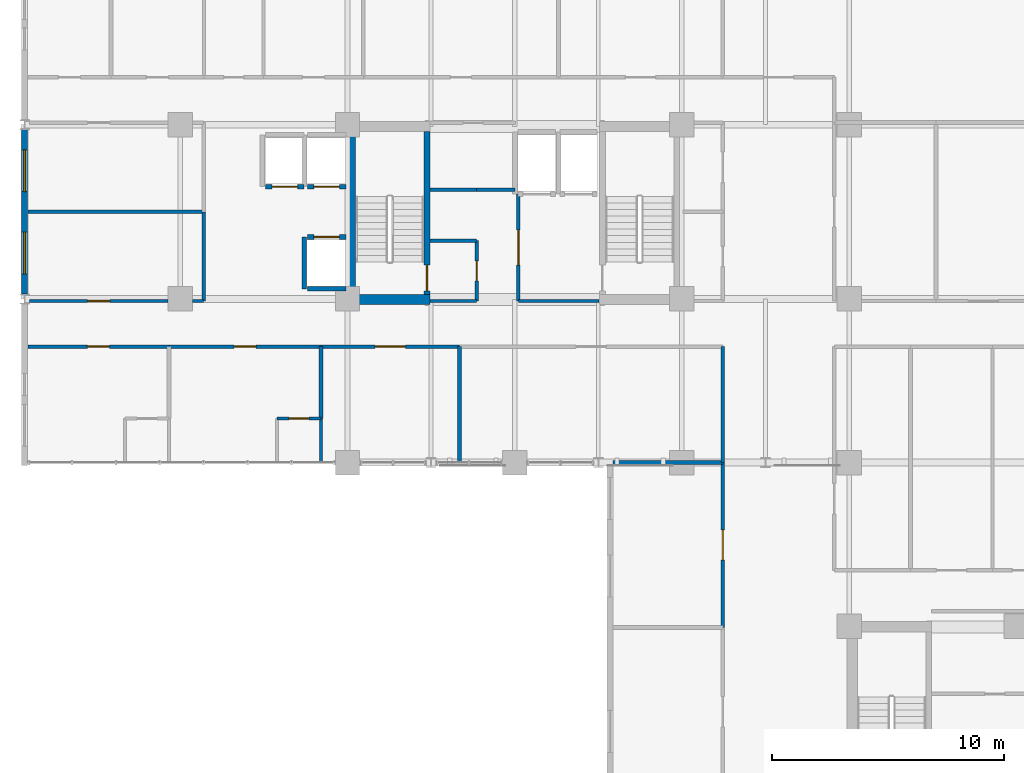
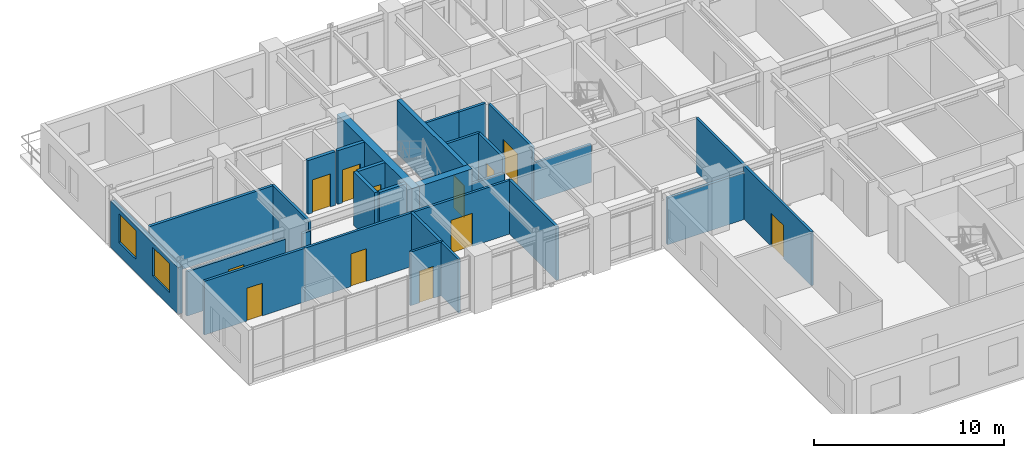
# One storey, part 9 of 17: 30 walls, 12 doors, 2 windows, 14 openings.
"""IFC4 building model written with IfcOpenShell, lengths in metres."""

from ifc_helpers import new_model, si_unit, direction, frame, frame_2d, origin, place, context, subcontext, project, spatial, rectangle, extrude, material, layer, layer_set, type_object, element, fill, save


model = new_model("IFC4")

# Units and contexts
model_context = context("Model", 3, precision=1e-05, world=origin(), true_north=direction((0.0, 1.0)))
body_context = subcontext(model_context, "Body", "Model", "MODEL_VIEW")
ifc_project = project(units=[si_unit("LENGTHUNIT", "METRE"), si_unit("AREAUNIT", "SQUARE_METRE"), si_unit("VOLUMEUNIT", "CUBIC_METRE"), si_unit("PLANEANGLEUNIT", "RADIAN"), si_unit("MASSUNIT", "GRAM", prefix="KILO")], contexts=[model_context])

# Site, building, storey
site_placement = place(None, origin())
site = spatial("IfcSite", under=ifc_project, at=site_placement, CompositionType="ELEMENT")
building_placement = place(site_placement, origin())
building = spatial("IfcBuilding", under=site, at=building_placement, Name="Kaliganga Portal Commons", CompositionType="ELEMENT")
storey_placement = place(building_placement, frame((0.0, 0.0, 143.89990234375)))
storey = spatial("IfcBuildingStorey", under=building, at=storey_placement, Name="L36", CompositionType="ELEMENT", Elevation=143.89990234375)

# Walls
ifc_material_1 = material(Name="Concrete C60/75", Category="concrete")
ifc_layer_1 = layer(ifc_material_1, 0.449951171875)
ifc_layer_set_1 = layer_set([ifc_layer_1], Name="Concrete C60/75")
wall_type_1 = type_object("IfcWallType", Name="WL-CORE-450", PredefinedType="SHEAR", material=ifc_layer_set_1)
wall_1_placement = place(storey_placement, frame((14.52490234375, 28.39990234375, 0.0), z_axis=(0.0, 0.0, 1.0), x_axis=(0.0, 1.0, 0.0)))
element("IfcWall", 1, at=wall_1_placement, inside=storey, type_object=wall_type_1, Name="Core A West Shear Wall L36", PredefinedType="SHEAR", context=body_context, shape_type="SweptSolid", body=[
    extrude(rectangle(XDim=7.900146484375, YDim=0.449951171875, at=frame_2d((3.9501953125, 0.0))), origin(), (0.0, 0.0, 1.0), 3.460205078125),
])
wall_2_placement = place(storey_placement, frame((14.75, 28.625, 0.0), z_axis=(0.0, 0.0, 1.0), x_axis=(1.0, 0.0, 0.0)))
element("IfcWall", 2, at=wall_2_placement, inside=storey, type_object=wall_type_1, Name="Core A S-West Shear Wall L36", PredefinedType="SHEAR", context=body_context, shape_type="SweptSolid", body=[
    extrude(rectangle(XDim=3.199951171875, YDim=0.449951171875, at=frame_2d((1.60009765625, 0.0))), origin(), (0.0, 0.0, 1.0), 3.460205078125),
])

# Wall, openings, windows
ifc_material_2 = material(Name="Insulated Aluminium-Clad Spandrel Assembly", Category="aluminium")
ifc_layer_2 = layer(ifc_material_2, 0.260009765625)
ifc_layer_set_2 = layer_set([ifc_layer_2], Name="Insulated Aluminium-Clad Spandrel Assembly")
wall_type_2 = type_object("IfcWallType", Name="WL-EXT-SPAND-260", PredefinedType="STANDARD", material=ifc_layer_set_2)
wall_3_placement = place(storey_placement, frame((0.5, 28.85791015625, 0.0), z_axis=(0.0, 0.0, 1.0), x_axis=(0.0, 1.0, 0.0)))
wall_3 = element("IfcWall", 3, at=wall_3_placement, inside=storey, type_object=wall_type_2, Name="Exterior Envelope Wall L36 P1-E03-S2", PredefinedType="STANDARD", context=body_context, shape_type="SweptSolid", body=[
    extrude(rectangle(XDim=7.083984375, YDim=0.260009765625, at=frame_2d((3.5419921875, 0.0))), origin(), (0.0, 0.0, 1.0), 2.989990234375),
])
opening_1_placement = place(wall_3_placement, frame((0.87109375, 0.0, 0.85009765625)))
opening_1 = element("IfcOpeningElement", 4, at=opening_1_placement, cuts=wall_3, Name="Opening W-01", PredefinedType="OPENING", context=body_context, shape_type="SweptSolid", body=[
    extrude(rectangle(XDim=1.800048828125, YDim=1.85009765625, at=frame_2d((0.89990234375, 0.925048828125))), frame((0.0, 0.14013671875, 0.0), z_axis=(0.0, -1.0, 0.0), x_axis=(1.0, 0.0, 0.0)), (0.0, 0.0, 1.0), 0.280029296875),
])
opening_2_placement = place(wall_3_placement, frame((4.4130859375, 0.0, 0.85009765625)))
opening_2 = element("IfcOpeningElement", 5, at=opening_2_placement, cuts=wall_3, Name="Opening W-01", PredefinedType="OPENING", context=body_context, shape_type="SweptSolid", body=[
    extrude(rectangle(XDim=1.800048828125, YDim=1.85009765625, at=frame_2d((0.89990234375, 0.925048828125))), frame((0.0, 0.14013671875, 0.0), z_axis=(0.0, -1.0, 0.0), x_axis=(1.0, 0.0, 0.0)), (0.0, 0.0, 1.0), 0.280029296875),
])
ifc_material_3 = material(Name="Thermally Broken Aluminium and Low-E Double Glazing", Category="aluminium")
window_type = type_object("IfcWindowType", Name="WIN-STD-1800", PartitioningType="DOUBLE_PANEL_VERTICAL", PredefinedType="WINDOW", material=ifc_material_3)
window_1_placement = place(opening_1_placement, origin())
window_1 = element("IfcWindow", 6, at=window_1_placement, inside=storey, type_object=window_type, Name="Facade Window L36-P1E03S2-00", OverallHeight=1.85009765625, OverallWidth=1.800048828125, PartitioningType="SINGLE_PANEL", PredefinedType="WINDOW", context=body_context, shape_type="SweptSolid", body=[
    extrude(rectangle(XDim=1.800048828125, YDim=1.85009765625, at=frame_2d((0.89990234375, 0.925048828125))), frame((0.0, 0.030029296875, 0.0), z_axis=(0.0, -1.0, 0.0), x_axis=(1.0, 0.0, 0.0)), (0.0, 0.0, 1.0), 0.06005859375),
])
fill(opening_1, window_1)
window_2_placement = place(opening_2_placement, origin())
window_2 = element("IfcWindow", 7, at=window_2_placement, inside=storey, type_object=window_type, Name="Facade Window L36-P1E03S2-01", OverallHeight=1.85009765625, OverallWidth=1.800048828125, PartitioningType="SINGLE_PANEL", PredefinedType="WINDOW", context=body_context, shape_type="SweptSolid", body=[
    extrude(rectangle(XDim=1.800048828125, YDim=1.85009765625, at=frame_2d((0.89990234375, 0.925048828125))), frame((0.0, 0.030029296875, 0.0), z_axis=(0.0, -1.0, 0.0), x_axis=(1.0, 0.0, 0.0)), (0.0, 0.0, 1.0), 0.06005859375),
])
fill(opening_2, window_2)

# Wall, opening, door
ifc_material_4 = material(Name="Fire-Rated Gypsum Board on Steel Stud", Category="steel")
ifc_layer_3 = layer(ifc_material_4, 0.14990234375)
ifc_layer_set_3 = layer_set([ifc_layer_3], Name="Fire-Rated Gypsum Board on Steel Stud")
wall_type_3 = type_object("IfcWallType", Name="WL-PART-CORR-150", PredefinedType="PARTITIONING", material=ifc_layer_set_3)
wall_4_placement = place(storey_placement, frame((0.701904296875, 28.56005859375, 0.0), z_axis=(0.0, 0.0, 1.0), x_axis=(1.0, 0.0, 0.0)))
wall_4 = element("IfcWall", 8, at=wall_4_placement, inside=storey, type_object=wall_type_3, Name="Interior Partition L36-012", PredefinedType="PARTITIONING", context=body_context, shape_type="SweptSolid", body=[
    extrude(rectangle(XDim=5.97314453125, YDim=0.14990234375, at=frame_2d((2.986572265625, 0.0))), origin(), (0.0, 0.0, 1.0), 2.840087890625),
])
opening_3_placement = place(wall_4_placement, frame((2.511474609375, 0.0, 0.0)))
opening_3 = element("IfcOpeningElement", 9, at=opening_3_placement, cuts=wall_4, Name="Opening UD-01", PredefinedType="OPENING", context=body_context, shape_type="SweptSolid", body=[
    extrude(rectangle(XDim=0.949951171875, YDim=2.10009765625, at=frame_2d((0.47509765625, 1.050048828125))), frame((0.0, 0.0849609375, 0.0), z_axis=(0.0, -1.0, 0.0), x_axis=(1.0, 0.0, 0.0)), (0.0, 0.0, 1.0), 0.169921875),
])
ifc_material_5 = material(Name="Solid-Core Timber Acoustic Fire Door", Category="wood")
door_type_1 = type_object("IfcDoorType", Name="DR-UNIT-950", OperationType="NOTDEFINED", PredefinedType="DOOR", material=ifc_material_5)
door_1_placement = place(opening_3_placement, origin())
door_1 = element("IfcDoor", 10, at=door_1_placement, inside=storey, type_object=door_type_1, Name="Interior Door L36-AW01", OperationType="SINGLE_SWING_RIGHT", OverallHeight=2.10009765625, OverallWidth=0.949951171875, PredefinedType="DOOR", context=body_context, shape_type="SweptSolid", body=[
    extrude(rectangle(XDim=0.949951171875, YDim=2.10009765625, at=frame_2d((0.47509765625, 1.050048828125))), frame((0.0, 0.02490234375, 0.0), z_axis=(0.0, -1.0, 0.0), x_axis=(1.0, 0.0, 0.0)), (0.0, 0.0, 1.0), 0.050048828125),
])
fill(opening_3, door_1)

# Wall
wall_5_placement = place(storey_placement, frame((7.72509765625, 28.56005859375, 0.0), z_axis=(0.0, 0.0, 1.0), x_axis=(1.0, 0.0, 0.0)))
element("IfcWall", 11, at=wall_5_placement, inside=storey, type_object=wall_type_3, Name="Interior Partition L36-013", PredefinedType="PARTITIONING", context=body_context, shape_type="SweptSolid", body=[
    extrude(rectangle(XDim=0.474853515625, YDim=0.14990234375, at=frame_2d((0.2373046875, 0.0))), origin(), (0.0, 0.0, 1.0), 2.840087890625),
])

# Wall, opening, door
wall_6_placement = place(storey_placement, frame((30.56005859375, 14.5, 0.0), z_axis=(0.0, 0.0, 1.0), x_axis=(0.0, 1.0, 0.0)))
wall_6 = element("IfcWall", 12, at=wall_6_placement, inside=storey, type_object=wall_type_3, Name="Interior Partition L36-018", PredefinedType="PARTITIONING", context=body_context, shape_type="SweptSolid", body=[
    extrude(rectangle(XDim=7.10009765625, YDim=0.14990234375, at=frame_2d((3.550048828125, 0.0))), origin(), (0.0, 0.0, 1.0), 3.440185546875),
])
opening_4_placement = place(wall_6_placement, frame((2.89990234375, 0.0, 0.0)))
opening_4 = element("IfcOpeningElement", 13, at=opening_4_placement, cuts=wall_6, Name="Opening RD-03", PredefinedType="OPENING", context=body_context, shape_type="SweptSolid", body=[
    extrude(rectangle(XDim=1.300048828125, YDim=2.1201171875, at=frame_2d((0.64990234375, 1.06005859375))), frame((0.0, 0.0849609375, 0.0), z_axis=(0.0, -1.0, 0.0), x_axis=(1.0, 0.0, 0.0)), (0.0, 0.0, 1.0), 0.169921875),
])
ifc_material_6 = material(Name="Glazed Timber Seminar Vision Door", Category="wood")
door_type_2 = type_object("IfcDoorType", Name="DR-STUDY-1300", OperationType="DOUBLE_DOOR_SINGLE_SWING", PredefinedType="DOOR", material=ifc_material_6)
door_2_placement = place(opening_4_placement, origin())
door_2 = element("IfcDoor", 14, at=door_2_placement, inside=storey, type_object=door_type_2, Name="Interior Door L36-KW02", OperationType="DOUBLE_DOOR_SINGLE_SWING", OverallHeight=2.1201171875, OverallWidth=1.300048828125, PredefinedType="DOOR", context=body_context, shape_type="SweptSolid", body=[
    extrude(rectangle(XDim=1.300048828125, YDim=2.1201171875, at=frame_2d((0.64990234375, 1.06005859375))), frame((0.0, 0.02490234375, 0.0), z_axis=(0.0, -1.0, 0.0), x_axis=(1.0, 0.0, 0.0)), (0.0, 0.0, 1.0), 0.050048828125),
])
fill(opening_4, door_2)

wall_7_placement = place(storey_placement, frame((6.719970703125, 26.60009765625, 0.0), z_axis=(0.0, 0.0, 1.0), x_axis=(1.0, 0.0, 0.0)))
wall_7 = element("IfcWall", 15, at=wall_7_placement, inside=storey, type_object=wall_type_3, Name="Interior Partition L36-022", PredefinedType="PARTITIONING", context=body_context, shape_type="SweptSolid", body=[
    extrude(rectangle(XDim=6.5400390625, YDim=0.14990234375, at=frame_2d((3.27001953125, 0.0))), origin(), (0.0, 0.0, 1.0), 3.440185546875),
])
opening_5_placement = place(wall_7_placement, frame((2.794921875, 0.0, 0.0)))
opening_5 = element("IfcOpeningElement", 16, at=opening_5_placement, cuts=wall_7, Name="Opening UD-01", PredefinedType="OPENING", context=body_context, shape_type="SweptSolid", body=[
    extrude(rectangle(XDim=0.949951171875, YDim=2.10009765625, at=frame_2d((0.47509765625, 1.050048828125))), frame((0.0, 0.0849609375, 0.0), z_axis=(0.0, -1.0, 0.0), x_axis=(1.0, 0.0, 0.0)), (0.0, 0.0, 1.0), 0.169921875),
])
door_3_placement = place(opening_5_placement, origin())
door_3 = element("IfcDoor", 17, at=door_3_placement, inside=storey, type_object=door_type_1, Name="Interior Door L36-AS02", OperationType="SINGLE_SWING_LEFT", OverallHeight=2.10009765625, OverallWidth=0.949951171875, PredefinedType="DOOR", context=body_context, shape_type="SweptSolid", body=[
    extrude(rectangle(XDim=0.949951171875, YDim=2.10009765625, at=frame_2d((0.47509765625, 1.050048828125))), frame((0.0, 0.02490234375, 0.0), z_axis=(0.0, -1.0, 0.0), x_axis=(1.0, 0.0, 0.0)), (0.0, 0.0, 1.0), 0.050048828125),
])
fill(opening_5, door_3)

wall_8_placement = place(storey_placement, frame((0.632080078125, 26.60009765625, 0.0), z_axis=(0.0, 0.0, 1.0), x_axis=(1.0, 0.0, 0.0)))
wall_8 = element("IfcWall", 18, at=wall_8_placement, inside=storey, type_object=wall_type_3, Name="Interior Partition L36-023", PredefinedType="PARTITIONING", context=body_context, shape_type="SweptSolid", body=[
    extrude(rectangle(XDim=6.087890625, YDim=0.14990234375, at=frame_2d((3.0439453125, 0.0))), origin(), (0.0, 0.0, 1.0), 3.440185546875),
])
opening_6_placement = place(wall_8_placement, frame((2.569091796875, 0.0, 0.0)))
opening_6 = element("IfcOpeningElement", 19, at=opening_6_placement, cuts=wall_8, Name="Opening UD-01", PredefinedType="OPENING", context=body_context, shape_type="SweptSolid", body=[
    extrude(rectangle(XDim=0.949951171875, YDim=2.10009765625, at=frame_2d((0.47509765625, 1.050048828125))), frame((0.0, 0.0849609375, 0.0), z_axis=(0.0, -1.0, 0.0), x_axis=(1.0, 0.0, 0.0)), (0.0, 0.0, 1.0), 0.169921875),
])
door_4_placement = place(opening_6_placement, origin())
door_4 = element("IfcDoor", 20, at=door_4_placement, inside=storey, type_object=door_type_1, Name="Interior Door L36-AS01", OperationType="SINGLE_SWING_RIGHT", OverallHeight=2.10009765625, OverallWidth=0.949951171875, PredefinedType="DOOR", context=body_context, shape_type="SweptSolid", body=[
    extrude(rectangle(XDim=0.949951171875, YDim=2.10009765625, at=frame_2d((0.47509765625, 1.050048828125))), frame((0.0, 0.02490234375, 0.0), z_axis=(0.0, -1.0, 0.0), x_axis=(1.0, 0.0, 0.0)), (0.0, 0.0, 1.0), 0.050048828125),
])
fill(opening_6, door_4)

wall_9_placement = place(storey_placement, frame((13.260009765625, 26.60009765625, 0.0), z_axis=(0.0, 0.0, 1.0), x_axis=(1.0, 0.0, 0.0)))
wall_9 = element("IfcWall", 21, at=wall_9_placement, inside=storey, type_object=wall_type_3, Name="Interior Partition L36-024", PredefinedType="PARTITIONING", context=body_context, shape_type="SweptSolid", body=[
    extrude(rectangle(XDim=5.9599609375, YDim=0.14990234375, at=frame_2d((2.97998046875, 0.0))), origin(), (0.0, 0.0, 1.0), 3.440185546875),
])
opening_7_placement = place(wall_9_placement, frame((2.330078125, 0.0, 0.0)))
opening_7 = element("IfcOpeningElement", 22, at=opening_7_placement, cuts=wall_9, Name="Opening RD-03", PredefinedType="OPENING", context=body_context, shape_type="SweptSolid", body=[
    extrude(rectangle(XDim=1.300048828125, YDim=2.1201171875, at=frame_2d((0.64990234375, 1.06005859375))), frame((0.0, 0.0849609375, 0.0), z_axis=(0.0, -1.0, 0.0), x_axis=(1.0, 0.0, 0.0)), (0.0, 0.0, 1.0), 0.169921875),
])
door_5_placement = place(opening_7_placement, origin())
door_5 = element("IfcDoor", 23, at=door_5_placement, inside=storey, type_object=door_type_2, Name="Interior Door L36-AS03", OperationType="DOUBLE_DOOR_SINGLE_SWING", OverallHeight=2.1201171875, OverallWidth=1.300048828125, PredefinedType="DOOR", context=body_context, shape_type="SweptSolid", body=[
    extrude(rectangle(XDim=1.300048828125, YDim=2.1201171875, at=frame_2d((0.64990234375, 1.06005859375))), frame((0.0, 0.02490234375, 0.0), z_axis=(0.0, -1.0, 0.0), x_axis=(1.0, 0.0, 0.0)), (0.0, 0.0, 1.0), 0.050048828125),
])
fill(opening_7, door_5)

# Walls
wall_10_placement = place(storey_placement, frame((30.56005859375, 21.60009765625, 0.0), z_axis=(0.0, 0.0, 1.0), x_axis=(0.0, 1.0, 0.0)))
element("IfcWall", 24, at=wall_10_placement, inside=storey, type_object=wall_type_3, Name="Interior Partition L36-027", PredefinedType="PARTITIONING", context=body_context, shape_type="SweptSolid", body=[
    extrude(rectangle(XDim=5.0, YDim=0.14990234375, at=frame_2d((2.5, 0.0))), origin(), (0.0, 0.0, 1.0), 3.440185546875),
])
wall_11_placement = place(storey_placement, frame((8.199951171875, 28.56005859375, 0.0), z_axis=(0.0, 0.0, 1.0), x_axis=(0.0, 1.0, 0.0)))
element("IfcWall", 25, at=wall_11_placement, inside=storey, type_object=wall_type_3, Name="Interior Partition L36-040", PredefinedType="PARTITIONING", context=body_context, shape_type="SweptSolid", body=[
    extrude(rectangle(XDim=3.83984375, YDim=0.14990234375, at=frame_2d((1.919921875, 0.0))), origin(), (0.0, 0.0, 1.0), 3.440185546875),
])

# Wall, opening, door
wall_12_placement = place(storey_placement, frame((19.9599609375, 28.56005859375, 0.0), z_axis=(0.0, 0.0, 1.0), x_axis=(0.0, 1.0, 0.0)))
wall_12 = element("IfcWall", 26, at=wall_12_placement, inside=storey, type_object=wall_type_3, Name="Interior Partition L36-049", PredefinedType="PARTITIONING", context=body_context, shape_type="SweptSolid", body=[
    extrude(rectangle(XDim=2.599853515625, YDim=0.14990234375, at=frame_2d((1.2998046875, 0.0))), origin(), (0.0, 0.0, 1.0), 3.440185546875),
])
opening_8_placement = place(wall_12_placement, frame((0.8701171875, 0.0, 0.0)))
opening_8 = element("IfcOpeningElement", 27, at=opening_8_placement, cuts=wall_12, Name="Opening WD-02", PredefinedType="OPENING", context=body_context, shape_type="SweptSolid", body=[
    extrude(rectangle(XDim=0.860107421875, YDim=2.02001953125, at=frame_2d((0.43017578125, 1.010009765625))), frame((0.0, 0.0849609375, 0.0), z_axis=(0.0, -1.0, 0.0), x_axis=(1.0, 0.0, 0.0)), (0.0, 0.0, 1.0), 0.169921875),
])
ifc_material_7 = material(Name="Fire-Rated Utility Closet Door", Category="wood")
door_type_3 = type_object("IfcDoorType", Name="DR-STORE-800", OperationType="NOTDEFINED", PredefinedType="DOOR", material=ifc_material_7)
door_6_placement = place(opening_8_placement, origin())
door_6 = element("IfcDoor", 28, at=door_6_placement, inside=storey, type_object=door_type_3, Name="Interior Door L36-CIN_A1", OperationType="SINGLE_SWING_LEFT", OverallHeight=2.02001953125, OverallWidth=0.860107421875, PredefinedType="DOOR", context=body_context, shape_type="SweptSolid", body=[
    extrude(rectangle(XDim=0.860107421875, YDim=2.02001953125, at=frame_2d((0.43017578125, 1.010009765625))), frame((0.0, 0.02490234375, 0.0), z_axis=(0.0, -1.0, 0.0), x_axis=(1.0, 0.0, 0.0)), (0.0, 0.0, 1.0), 0.050048828125),
])
fill(opening_8, door_6)

# Walls
wall_13_placement = place(storey_placement, frame((17.9599609375, 28.56005859375, 0.0), z_axis=(0.0, 0.0, 1.0), x_axis=(1.0, 0.0, 0.0)))
element("IfcWall", 29, at=wall_13_placement, inside=storey, type_object=wall_type_3, Name="Interior Partition L36-054", PredefinedType="PARTITIONING", context=body_context, shape_type="SweptSolid", body=[
    extrude(rectangle(XDim=2.0, YDim=0.14990234375, at=frame_2d((1.0, 0.0))), origin(), (0.0, 0.0, 1.0), 2.440185546875),
])
for number, where, z_axis, x_axis, name in (
    (30, (17.9599609375, 31.159912109375, 0.0), (0.0, 0.0, 1.0), (1.0, 0.0, 0.0), "Interior Partition L36-055"),
    (31, (17.9599609375, 33.360107421875, 0.0), (0.0, 0.0, 1.0), (1.0, 0.0, 0.0), "Interior Partition L36-056"),
):
    element("IfcWall", number, at=place(storey_placement, frame(where, z_axis=z_axis, x_axis=x_axis)), inside=storey, type_object=wall_type_3, Name=name, PredefinedType="PARTITIONING", context=body_context, shape_type="SweptSolid", body=[
        extrude(rectangle(XDim=2.0, YDim=0.14990234375, at=frame_2d((1.0, 0.0))), origin(), (0.0, 0.0, 1.0), 3.440185546875),
    ])
wall_14_placement = place(storey_placement, frame((19.9599609375, 33.360107421875, 0.0), z_axis=(0.0, 0.0, 1.0), x_axis=(1.0, 0.0, 0.0)))
element("IfcWall", 32, at=wall_14_placement, inside=storey, type_object=wall_type_3, Name="Interior Partition L36-060", PredefinedType="PARTITIONING", context=body_context, shape_type="SweptSolid", body=[
    extrude(rectangle(XDim=1.650146484375, YDim=0.14990234375, at=frame_2d((0.8251953125, 0.0))), origin(), (0.0, 0.0, 1.0), 3.440185546875),
])

# Wall, opening, door
wall_15_placement = place(storey_placement, frame((21.760009765625, 28.56005859375, 0.0), z_axis=(0.0, 0.0, 1.0), x_axis=(0.0, 1.0, 0.0)))
wall_15 = element("IfcWall", 33, at=wall_15_placement, inside=storey, type_object=wall_type_3, Name="Interior Partition L36-079", PredefinedType="PARTITIONING", context=body_context, shape_type="SweptSolid", body=[
    extrude(rectangle(XDim=4.599853515625, YDim=0.14990234375, at=frame_2d((2.2998046875, 0.0))), origin(), (0.0, 0.0, 1.0), 3.440185546875),
])
opening_9_placement = place(wall_15_placement, frame((1.550048828125, 0.0, 0.0)))
opening_9 = element("IfcOpeningElement", 34, at=opening_9_placement, cuts=wall_15, Name="Opening FD-01", PredefinedType="OPENING", context=body_context, shape_type="SweptSolid", body=[
    extrude(rectangle(XDim=1.5, YDim=2.10009765625, at=frame_2d((0.75, 1.050048828125))), frame((0.0, 0.0849609375, 0.0), z_axis=(0.0, -1.0, 0.0), x_axis=(1.0, 0.0, 0.0)), (0.0, 0.0, 1.0), 0.169921875),
])
ifc_material_8 = material(Name="Fire-Rated Hardwood and Georgian-Wired Vision Panel", Category="wood")
door_type_4 = type_object("IfcDoorType", Name="DR-LOBBY-1500", OperationType="DOUBLE_DOOR_SINGLE_SWING", PredefinedType="DOOR", material=ifc_material_8)
door_7_placement = place(opening_9_placement, origin())
door_7 = element("IfcDoor", 35, at=door_7_placement, inside=storey, type_object=door_type_4, Name="Interior Door L36-FFLOB_A", OperationType="DOUBLE_DOOR_SINGLE_SWING", OverallHeight=2.10009765625, OverallWidth=1.5, PredefinedType="DOOR", context=body_context, shape_type="SweptSolid", body=[
    extrude(rectangle(XDim=1.5, YDim=2.10009765625, at=frame_2d((0.75, 1.050048828125))), frame((0.0, 0.02490234375, 0.0), z_axis=(0.0, -1.0, 0.0), x_axis=(1.0, 0.0, 0.0)), (0.0, 0.0, 1.0), 0.050048828125),
])
fill(opening_9, door_7)

# Walls
wall_16_placement = place(storey_placement, frame((21.760009765625, 28.56005859375, 0.0), z_axis=(0.0, 0.0, 1.0), x_axis=(1.0, 0.0, 0.0)))
element("IfcWall", 36, at=wall_16_placement, inside=storey, type_object=wall_type_3, Name="Interior Partition L36-083", PredefinedType="PARTITIONING", context=body_context, shape_type="SweptSolid", body=[
    extrude(rectangle(XDim=3.47998046875, YDim=0.14990234375, at=frame_2d((1.739990234375, 0.0))), origin(), (0.0, 0.0, 1.0), 2.440185546875),
])
ifc_material_9 = material(Name="Twin-Stud Acoustic Gypsum Partition", Category="gypsum")
ifc_layer_4 = layer(ifc_material_9, 0.1650390625)
ifc_layer_set_4 = layer_set([ifc_layer_4], Name="Twin-Stud Acoustic Gypsum Partition")
wall_type_4 = type_object("IfcWallType", Name="WL-PART-UNIT-165", PredefinedType="PARTITIONING", material=ifc_layer_set_4)
wall_17_placement = place(storey_placement, frame((0.632080078125, 32.39990234375, 0.0), z_axis=(0.0, 0.0, 1.0), x_axis=(1.0, 0.0, 0.0)))
element("IfcWall", 37, at=wall_17_placement, inside=storey, type_object=wall_type_4, Name="Interior Partition L36-065", PredefinedType="PARTITIONING", context=body_context, shape_type="SweptSolid", body=[
    extrude(rectangle(XDim=7.56787109375, YDim=0.1650390625, at=frame_2d((3.783935546875, 0.0))), origin(), (0.0, 0.0, 1.0), 3.440185546875),
])
wall_18_placement = place(storey_placement, frame((19.219970703125, 21.6201171875, 0.0), z_axis=(0.0, 0.0, 1.0), x_axis=(0.0, 1.0, 0.0)))
element("IfcWall", 38, at=wall_18_placement, inside=storey, type_object=wall_type_4, Name="Interior Partition L36-074", PredefinedType="PARTITIONING", context=body_context, shape_type="SweptSolid", body=[
    extrude(rectangle(XDim=4.97998046875, YDim=0.1650390625, at=frame_2d((2.489990234375, 0.0))), origin(), (0.0, 0.0, 1.0), 3.440185546875),
])
wall_19_placement = place(storey_placement, frame((25.83203125, 21.60009765625, 0.0), z_axis=(0.0, 0.0, 1.0), x_axis=(1.0, 0.0, 0.0)))
element("IfcWall", 39, at=wall_19_placement, inside=storey, type_object=wall_type_4, Name="Interior Partition L36-078", PredefinedType="PARTITIONING", context=body_context, shape_type="SweptSolid", body=[
    extrude(rectangle(XDim=4.72802734375, YDim=0.1650390625, at=frame_2d((2.364013671875, 0.0))), origin(), (0.0, 0.0, 1.0), 2.989990234375),
])
wall_20_placement = place(storey_placement, frame((13.260009765625, 23.5, 0.0), z_axis=(0.0, 0.0, 1.0), x_axis=(0.0, 1.0, 0.0)))
element("IfcWall", 40, at=wall_20_placement, inside=storey, type_object=wall_type_4, Name="Interior Partition L36-085", PredefinedType="PARTITIONING", context=body_context, shape_type="SweptSolid", body=[
    extrude(rectangle(XDim=3.10009765625, YDim=0.1650390625, at=frame_2d((1.550048828125, 0.0))), origin(), (0.0, 0.0, 1.0), 3.440185546875),
])

# Wall, opening, door
ifc_material_10 = material(Name="Cement-Board Wet-Room Partition", Category="gypsum")
ifc_layer_5 = layer(ifc_material_10, 0.135009765625)
ifc_layer_set_5 = layer_set([ifc_layer_5], Name="Cement-Board Wet-Room Partition")
wall_type_5 = type_object("IfcWallType", Name="WL-PART-WET-135", PredefinedType="PARTITIONING", material=ifc_layer_set_5)
wall_21_placement = place(storey_placement, frame((11.360107421875, 23.5, 0.0), z_axis=(0.0, 0.0, 1.0), x_axis=(1.0, 0.0, 0.0)))
wall_21 = element("IfcWall", 41, at=wall_21_placement, inside=storey, type_object=wall_type_5, Name="Interior Partition L36-001", PredefinedType="PARTITIONING", context=body_context, shape_type="SweptSolid", body=[
    extrude(rectangle(XDim=1.89990234375, YDim=0.135009765625, at=frame_2d((0.949951171875, 0.0))), origin(), (0.0, 0.0, 1.0), 3.440185546875),
])
opening_10_placement = place(wall_21_placement, frame((0.52490234375, 0.0, 0.0)))
opening_10 = element("IfcOpeningElement", 42, at=opening_10_placement, cuts=wall_21, Name="Opening WD-01", PredefinedType="OPENING", context=body_context, shape_type="SweptSolid", body=[
    extrude(rectangle(XDim=0.85009765625, YDim=2.0400390625, at=frame_2d((0.425048828125, 1.02001953125))), frame((0.0, 0.07763671875, 0.0), z_axis=(0.0, -1.0, 0.0), x_axis=(1.0, 0.0, 0.0)), (0.0, 0.0, 1.0), 0.155029296875),
])
ifc_material_11 = material(Name="Moisture-Resistant Laminate Timber Door", Category="wood")
door_type_5 = type_object("IfcDoorType", Name="DR-WET-850", OperationType="NOTDEFINED", PredefinedType="DOOR", material=ifc_material_11)
door_8_placement = place(opening_10_placement, origin())
door_8 = element("IfcDoor", 43, at=door_8_placement, inside=storey, type_object=door_type_5, Name="Interior Door L36-AS02E", OperationType="SINGLE_SWING_LEFT", OverallHeight=2.0400390625, OverallWidth=0.85009765625, PredefinedType="DOOR", context=body_context, shape_type="SweptSolid", body=[
    extrude(rectangle(XDim=0.85009765625, YDim=2.0400390625, at=frame_2d((0.425048828125, 1.02001953125))), frame((0.0, 0.02490234375, 0.0), z_axis=(0.0, -1.0, 0.0), x_axis=(1.0, 0.0, 0.0)), (0.0, 0.0, 1.0), 0.050048828125),
])
fill(opening_10, door_8)

# Wall
wall_22_placement = place(storey_placement, frame((13.260009765625, 21.6201171875, 0.0), z_axis=(0.0, 0.0, 1.0), x_axis=(0.0, 1.0, 0.0)))
element("IfcWall", 44, at=wall_22_placement, inside=storey, type_object=wall_type_5, Name="Interior Partition L36-006", PredefinedType="PARTITIONING", context=body_context, shape_type="SweptSolid", body=[
    extrude(rectangle(XDim=1.8798828125, YDim=0.135009765625, at=frame_2d((0.93994140625, 0.0))), origin(), (0.0, 0.0, 1.0), 3.440185546875),
])

# Wall, opening, door
ifc_material_12 = material(Name="Fire-Rated Shaftwall Masonry Assembly", Category="masonry")
ifc_layer_6 = layer(ifc_material_12, 0.199951171875)
ifc_layer_set_6 = layer_set([ifc_layer_6], Name="Fire-Rated Shaftwall Masonry Assembly")
wall_type_6 = type_object("IfcWallType", Name="WL-SHAFT-200", PredefinedType="PARTITIONING", material=ifc_layer_set_6)
wall_23_placement = place(storey_placement, frame((12.675048828125, 33.485107421875, 0.0), z_axis=(0.0, 0.0, 1.0), x_axis=(1.0, 0.0, 0.0)))
wall_23 = element("IfcWall", 45, at=wall_23_placement, inside=storey, type_object=wall_type_6, Name="Lift PL-A3 Hoistway Shaft Wall L36-S", PredefinedType="PARTITIONING", context=body_context, shape_type="SweptSolid", body=[
    extrude(rectangle(XDim=1.64990234375, YDim=0.199951171875, at=frame_2d((0.824951171875, 0.0))), origin(), (0.0, 0.0, 1.0), 3.440185546875),
])
opening_11_placement = place(wall_23_placement, frame((0.27490234375, 0.0, 0.0)))
opening_11 = element("IfcOpeningElement", 46, at=opening_11_placement, cuts=wall_23, Name="Opening LD-01", PredefinedType="OPENING", context=body_context, shape_type="SweptSolid", body=[
    extrude(rectangle(XDim=1.10009765625, YDim=2.1201171875, at=frame_2d((0.550048828125, 1.06005859375))), frame((0.0, 0.10986328125, 0.0), z_axis=(0.0, -1.0, 0.0), x_axis=(1.0, 0.0, 0.0)), (0.0, 0.0, 1.0), 0.219970703125),
])
ifc_material_13 = material(Name="Brushed Stainless Steel 316 Lift Landing Door", Category="steel")
door_type_6 = type_object("IfcDoorType", Name="DR-LIFT-1100", OperationType="SLIDING_TO_LEFT", PredefinedType="DOOR", material=ifc_material_13)
door_9_placement = place(opening_11_placement, origin())
door_9 = element("IfcDoor", 47, at=door_9_placement, inside=storey, type_object=door_type_6, Name="Lift PL-A3 Sliding Landing Door L36", OperationType="SLIDING_TO_LEFT", OverallHeight=2.1201171875, OverallWidth=1.10009765625, PredefinedType="DOOR", context=body_context, shape_type="SweptSolid", body=[
    extrude(rectangle(XDim=1.10009765625, YDim=2.1201171875, at=frame_2d((0.550048828125, 1.06005859375))), frame((0.0, 0.02490234375, 0.0), z_axis=(0.0, -1.0, 0.0), x_axis=(1.0, 0.0, 0.0)), (0.0, 0.0, 1.0), 0.050048828125),
])
fill(opening_11, door_9)

# Wall
wall_24_placement = place(storey_placement, frame((12.675048828125, 29.0849609375, 0.0), z_axis=(0.0, 0.0, 1.0), x_axis=(1.0, 0.0, 0.0)))
element("IfcWall", 48, at=wall_24_placement, inside=storey, type_object=wall_type_6, Name="Lift PL-A4 Hoistway Shaft Wall L36-S", PredefinedType="PARTITIONING", context=body_context, shape_type="SweptSolid", body=[
    extrude(rectangle(XDim=1.64990234375, YDim=0.199951171875, at=frame_2d((0.824951171875, 0.0))), origin(), (0.0, 0.0, 1.0), 3.440185546875),
])

# Wall, opening, door
wall_25_placement = place(storey_placement, frame((12.675048828125, 31.31494140625, 0.0), z_axis=(0.0, 0.0, 1.0), x_axis=(1.0, 0.0, 0.0)))
wall_25 = element("IfcWall", 49, at=wall_25_placement, inside=storey, type_object=wall_type_6, Name="Lift PL-A4 Hoistway Shaft Wall L36-N", PredefinedType="PARTITIONING", context=body_context, shape_type="SweptSolid", body=[
    extrude(rectangle(XDim=1.64990234375, YDim=0.199951171875, at=frame_2d((0.824951171875, 0.0))), origin(), (0.0, 0.0, 1.0), 3.440185546875),
])
opening_12_placement = place(wall_25_placement, frame((0.27490234375, 0.0, 0.0)))
opening_12 = element("IfcOpeningElement", 50, at=opening_12_placement, cuts=wall_25, Name="Opening LD-01", PredefinedType="OPENING", context=body_context, shape_type="SweptSolid", body=[
    extrude(rectangle(XDim=1.10009765625, YDim=2.1201171875, at=frame_2d((0.550048828125, 1.06005859375))), frame((0.0, 0.10986328125, 0.0), z_axis=(0.0, -1.0, 0.0), x_axis=(1.0, 0.0, 0.0)), (0.0, 0.0, 1.0), 0.219970703125),
])
door_10_placement = place(opening_12_placement, origin())
door_10 = element("IfcDoor", 51, at=door_10_placement, inside=storey, type_object=door_type_6, Name="Lift PL-A4 Sliding Landing Door L36", OperationType="SLIDING_TO_LEFT", OverallHeight=2.1201171875, OverallWidth=1.10009765625, PredefinedType="DOOR", context=body_context, shape_type="SweptSolid", body=[
    extrude(rectangle(XDim=1.10009765625, YDim=2.1201171875, at=frame_2d((0.550048828125, 1.06005859375))), frame((0.0, 0.02490234375, 0.0), z_axis=(0.0, -1.0, 0.0), x_axis=(1.0, 0.0, 0.0)), (0.0, 0.0, 1.0), 0.050048828125),
])
fill(opening_12, door_10)

# Wall
wall_26_placement = place(storey_placement, frame((12.534912109375, 29.0849609375, 0.0), z_axis=(0.0, 0.0, 1.0), x_axis=(0.0, 1.0, 0.0)))
element("IfcWall", 52, at=wall_26_placement, inside=storey, type_object=wall_type_6, Name="Lift PL-A4 Hoistway Shaft Wall L36-W", PredefinedType="PARTITIONING", context=body_context, shape_type="SweptSolid", body=[
    extrude(rectangle(XDim=2.22998046875, YDim=0.199951171875, at=frame_2d((1.114990234375, 0.0))), origin(), (0.0, 0.0, 1.0), 3.440185546875),
])

# Wall, opening, door
wall_27_placement = place(storey_placement, frame((10.875, 33.485107421875, 0.0), z_axis=(0.0, 0.0, 1.0), x_axis=(1.0, 0.0, 0.0)))
wall_27 = element("IfcWall", 53, at=wall_27_placement, inside=storey, type_object=wall_type_6, Name="Lift PL-OBS Hoistway Shaft Wall L36-S", PredefinedType="PARTITIONING", context=body_context, shape_type="SweptSolid", body=[
    extrude(rectangle(XDim=1.64990234375, YDim=0.199951171875, at=frame_2d((0.824951171875, 0.0))), origin(), (0.0, 0.0, 1.0), 3.440185546875),
])
opening_13_placement = place(wall_27_placement, frame((0.27490234375, 0.0, 0.0)))
opening_13 = element("IfcOpeningElement", 54, at=opening_13_placement, cuts=wall_27, Name="Opening LD-01", PredefinedType="OPENING", context=body_context, shape_type="SweptSolid", body=[
    extrude(rectangle(XDim=1.10009765625, YDim=2.1201171875, at=frame_2d((0.550048828125, 1.06005859375))), frame((0.0, 0.10986328125, 0.0), z_axis=(0.0, -1.0, 0.0), x_axis=(1.0, 0.0, 0.0)), (0.0, 0.0, 1.0), 0.219970703125),
])
door_11_placement = place(opening_13_placement, origin())
door_11 = element("IfcDoor", 55, at=door_11_placement, inside=storey, type_object=door_type_6, Name="Lift PL-OBS Sliding Landing Door L36", OperationType="SLIDING_TO_LEFT", OverallHeight=2.1201171875, OverallWidth=1.10009765625, PredefinedType="DOOR", context=body_context, shape_type="SweptSolid", body=[
    extrude(rectangle(XDim=1.10009765625, YDim=2.1201171875, at=frame_2d((0.550048828125, 1.06005859375))), frame((0.0, 0.02490234375, 0.0), z_axis=(0.0, -1.0, 0.0), x_axis=(1.0, 0.0, 0.0)), (0.0, 0.0, 1.0), 0.050048828125),
])
fill(opening_13, door_11)

ifc_material_14 = material(Name="Concrete C50/60", Category="concrete")
ifc_layer_7 = layer(ifc_material_14, 0.25)
ifc_layer_set_7 = layer_set([ifc_layer_7], Name="Concrete C50/60")
wall_type_7 = type_object("IfcWallType", Name="WL-STAIR-250", PredefinedType="SHEAR", material=ifc_layer_set_7)
wall_28_placement = place(storey_placement, frame((17.824951171875, 28.85009765625, 0.0), z_axis=(0.0, 0.0, 1.0), x_axis=(0.0, 1.0, 0.0)))
wall_28 = element("IfcWall", 56, at=wall_28_placement, inside=storey, type_object=wall_type_7, Name="Stair A1 Enclosure Shear Wall L36", PredefinedType="SHEAR", context=body_context, shape_type="SweptSolid", body=[
    extrude(rectangle(XDim=7.0, YDim=0.25, at=frame_2d((3.5, 0.0))), origin(), (0.0, 0.0, 1.0), 3.460205078125),
])
opening_14_placement = place(wall_28_placement, frame((0.14990234375, 0.0, 0.0)))
opening_14 = element("IfcOpeningElement", 57, at=opening_14_placement, cuts=wall_28, Name="Opening SD-01", PredefinedType="OPENING", context=body_context, shape_type="SweptSolid", body=[
    extrude(rectangle(XDim=1.10009765625, YDim=2.080078125, at=frame_2d((0.550048828125, 1.0400390625))), frame((0.0, 0.135009765625, 0.0), z_axis=(0.0, -1.0, 0.0), x_axis=(1.0, 0.0, 0.0)), (0.0, 0.0, 1.0), 0.27001953125),
])
ifc_material_15 = material(Name="Galvanized Steel Fire Door Leaf and Frame", Category="steel")
door_type_7 = type_object("IfcDoorType", Name="DR-STAIR-1100", OperationType="NOTDEFINED", PredefinedType="DOOR", material=ifc_material_15)
door_12_placement = place(opening_14_placement, origin())
door_12 = element("IfcDoor", 58, at=door_12_placement, inside=storey, type_object=door_type_7, Name="Protected Stair ST-A1 Fire Door L36", OperationType="SINGLE_SWING_RIGHT", OverallHeight=2.080078125, OverallWidth=1.10009765625, PredefinedType="DOOR", context=body_context, shape_type="SweptSolid", body=[
    extrude(rectangle(XDim=1.10009765625, YDim=2.080078125, at=frame_2d((0.550048828125, 1.0400390625))), frame((0.0, 0.02490234375, 0.0), z_axis=(0.0, -1.0, 0.0), x_axis=(1.0, 0.0, 0.0)), (0.0, 0.0, 1.0), 0.050048828125),
])
fill(opening_14, door_12)

save(model, "model.ifc")
